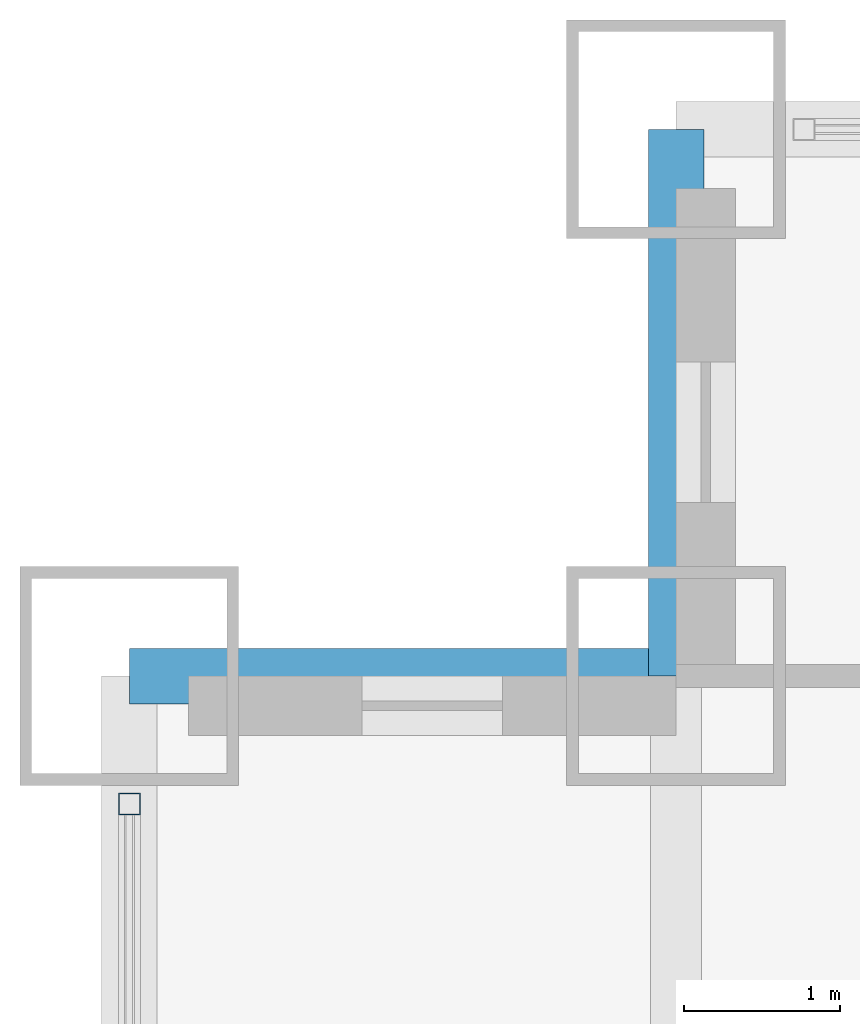
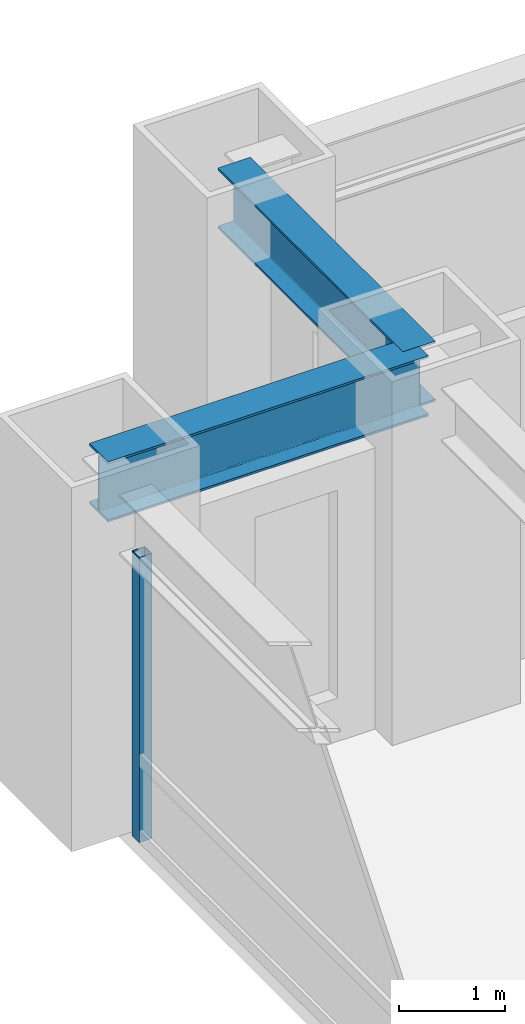
# One storey, part 14 of 28: 2 beams, 1 member, 1 element without a shape of its own.
"""IFC4 building model written with IfcOpenShell, lengths in metres."""

from ifc_helpers import new_model, si_unit, direction, frame, origin, origin_2d, place, context, subcontext, project, spatial, hollow_rectangle, i_section, extrude, source, transform, mapped, material, material_profile, profile_set, type_object, element, aggregate, save


model = new_model("IFC4")

# Units and contexts
model_context = context("Model", 3, precision=1e-05, world=origin(), true_north=direction((0.0, 1.0)))
body_context = subcontext(model_context, "Body", "Model", "MODEL_VIEW")
ifc_project = project(units=[si_unit("LENGTHUNIT", "METRE"), si_unit("AREAUNIT", "SQUARE_METRE"), si_unit("VOLUMEUNIT", "CUBIC_METRE"), si_unit("PLANEANGLEUNIT", "RADIAN"), si_unit("MASSUNIT", "GRAM", prefix="KILO")], contexts=[model_context])

# Site, building, storey
site_placement = place(None, origin())
site = spatial("IfcSite", under=ifc_project, at=site_placement, CompositionType="ELEMENT")
building_placement = place(site_placement, origin())
building = spatial("IfcBuilding", under=site, at=building_placement, Name="Khorayat Bourse Tower", CompositionType="ELEMENT")
storey_placement = place(building_placement, frame((0.0, 0.0, 57.800048828125)))
storey = spatial("IfcBuildingStorey", under=building, at=storey_placement, Name="L12", CompositionType="ELEMENT", Elevation=57.800048828125)

# Beams
ifc_material_1 = material(Name="Steel ASTM A992 Grade 50", Category="steel")
ifc_material_profile_1 = material_profile(ifc_material_1, i_section(OverallWidth=0.35498046875, OverallDepth=0.695068359375, WebThickness=0.015380859375, FlangeThickness=0.02490234375, FilletRadius=0.01806640625, at=origin_2d()), Name="W690X217")
ifc_profile_set_1 = profile_set([ifc_material_profile_1], Name="Steel ASTM A992 Grade 50")
beam_type = type_object("IfcBeamType", Name="BM-SPAN-690", PredefinedType="SPANDREL", material=ifc_profile_set_1)
shared_shape_1 = source(origin(), body_context, "Body", "SweptSolid", [
    extrude(i_section(OverallWidth=0.35498046875, OverallDepth=0.695068359375, WebThickness=0.015380859375, FlangeThickness=0.02490234375, FilletRadius=0.01806640625, at=origin_2d()), origin(), (0.0, 0.0, 1.0), 3.5),
])
for number, where, z_axis, x_axis, name in (
    (1, (-28.5, 28.5, 3.592529296875), (0.0, 1.0, 0.0), (-1.0, 0.0, 0.0), "L12 BM-SPAN-690 BM-L12-SPN-052"),
    (2, (-32.0, 28.5, 3.592529296875), (1.0, 0.0, 0.0), (0.0, 1.0, 0.0), "L12 BM-SPAN-690 BM-L12-SPN-053"),
):
    element("IfcBeam", number, at=place(storey_placement, frame(where, z_axis=z_axis, x_axis=x_axis)), inside=storey, type_object=beam_type, Name=name, PredefinedType="SPANDREL", context=body_context, shape_type="MappedRepresentation", body=[
        mapped(shared_shape_1, transform((0.0, 0.0, 0.0), scale=1.0)),
    ])

# Curtain wall, member
ifc_material_2 = material(Name="Aluminium EN AW-6063 T6", Category="aluminium")
curtain_wall_type = type_object("IfcCurtainWallType", Name="CW-SYS-02", PredefinedType="NOTDEFINED", material=ifc_material_2)
curtain_wall_placement = place(storey_placement, origin())
curtain_wall = element("IfcCurtainWall", 3, at=curtain_wall_placement, inside=storey, type_object=curtain_wall_type, Name="L12 Curtain Wall CW-L12-W1", PredefinedType="NOTDEFINED")
ifc_material_profile_2 = material_profile(ifc_material_2, hollow_rectangle(XDim=0.139892578125, YDim=0.139892578125, WallThickness=0.006103515625, at=origin_2d()), Name="ALU 140x140x6")
ifc_profile_set_2 = profile_set([ifc_material_profile_2], Name="Aluminium EN AW-6063 T6")
member_type = type_object("IfcMemberType", Name="CWM-VERT-140", PredefinedType="MULLION", material=ifc_profile_set_2)
shared_shape_2 = source(origin(), body_context, "Body", "SweptSolid", [
    extrude(hollow_rectangle(XDim=0.139892578125, YDim=0.139892578125, WallThickness=0.006103515625, at=origin_2d()), origin(), (0.0, 0.0, 1.0), 3.2900390625),
])
member_placement = place(storey_placement, frame((-32.0, 27.679931640625, 0.0), z_axis=(0.0, 0.0, 1.0), x_axis=(-1.0, 0.0, 0.0)))
member = element("IfcMember", 4, at=member_placement, type_object=member_type, Name="CW-L12-W1 Vertical Mullion 4", PredefinedType="MULLION", context=body_context, shape_type="MappedRepresentation", body=[
    mapped(shared_shape_2, transform((0.0, 0.0, 0.0), scale=1.0)),
])
aggregate(curtain_wall, [member])

save(model, "model.ifc")
